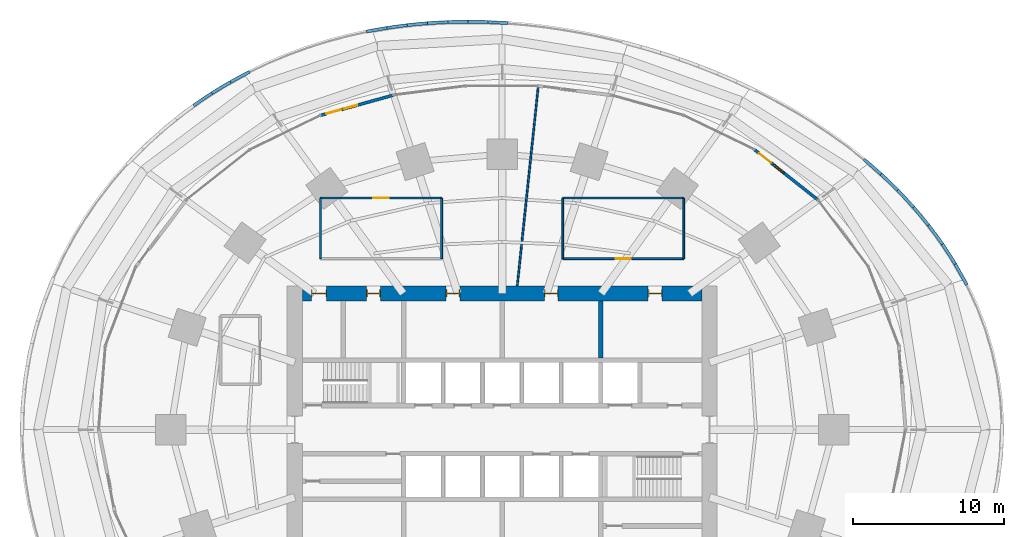
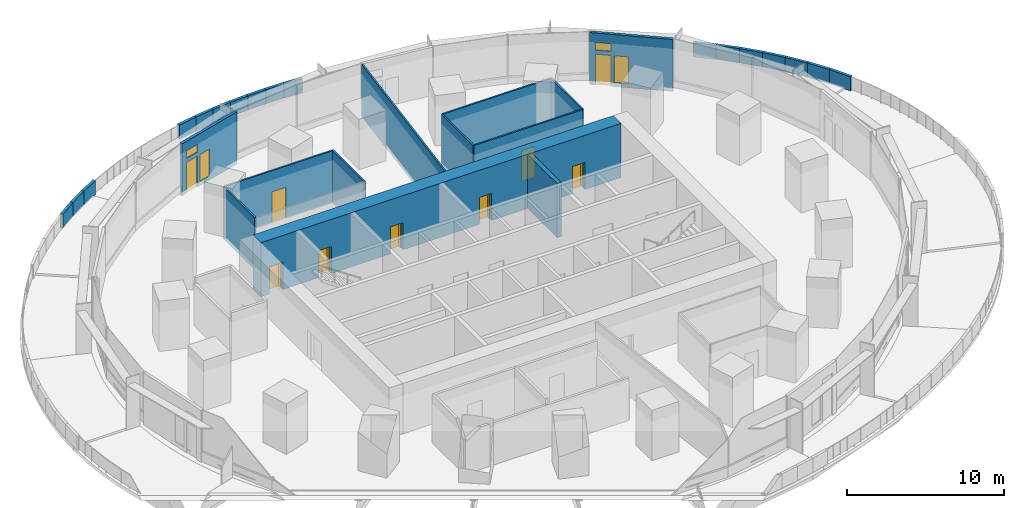
# One storey, part 15 of 20: 29 walls, 9 doors, 4 windows, 13 openings.
"""IFC4 building model written with IfcOpenShell, lengths in metres."""

from ifc_helpers import new_model, si_unit, direction, frame, frame_2d, origin, place, context, subcontext, project, spatial, rectangle, extrude, material, layer, layer_set, type_object, element, fill, save


model = new_model("IFC4")

# Units and contexts
model_context = context("Model", 3, precision=1e-05, world=origin(), true_north=direction((0.0, 1.0)))
body_context = subcontext(model_context, "Body", "Model", "MODEL_VIEW")
ifc_project = project(units=[si_unit("LENGTHUNIT", "METRE"), si_unit("AREAUNIT", "SQUARE_METRE"), si_unit("VOLUMEUNIT", "CUBIC_METRE"), si_unit("PLANEANGLEUNIT", "RADIAN"), si_unit("MASSUNIT", "GRAM", prefix="KILO")], contexts=[model_context])

# Site, building, storey
site_placement = place(None, origin())
site = spatial("IfcSite", under=ifc_project, at=site_placement, CompositionType="ELEMENT")
building_placement = place(site_placement, origin())
building = spatial("IfcBuilding", under=site, at=building_placement, Name="Marramba Exchange Tower", CompositionType="ELEMENT")
storey_placement = place(building_placement, frame((0.0, 0.0, 19.60009765625)))
storey = spatial("IfcBuildingStorey", under=building, at=storey_placement, Name="L04", CompositionType="ELEMENT", Elevation=19.60009765625)

# Wall, openings, doors
ifc_material_1 = material(Name="Concrete N50", Category="concrete")
ifc_layer_1 = layer(ifc_material_1, 1.0)
ifc_layer_set_1 = layer_set([ifc_layer_1], Name="Core wall 1000")
wall_type_1 = type_object("IfcWallType", Name="Core wall 1000", PredefinedType="SHEAR", material=ifc_layer_set_1)
wall_1_placement = place(storey_placement, frame((13.199951171875, 9.0, 0.0), z_axis=(0.0, 0.0, 1.0), x_axis=(-1.0, 0.0, 0.0)))
wall_1 = element("IfcWall", 1, at=wall_1_placement, inside=storey, type_object=wall_type_1, Name="Core wall N L04", PredefinedType="SHEAR", context=body_context, shape_type="SweptSolid", body=[
    extrude(rectangle(XDim=26.39990234375, YDim=1.0, at=frame_2d((13.199951171875, 0.0))), origin(), (0.0, 0.0, 1.0), 4.199951171875),
])
opening_1_placement = place(wall_1_placement, frame((2.64990234375, 0.0, 0.0)))
opening_1 = element("IfcOpeningElement", 2, at=opening_1_placement, cuts=wall_1, Name="Opening D5", PredefinedType="OPENING", context=body_context, shape_type="SweptSolid", body=[
    extrude(rectangle(XDim=0.89990234375, YDim=2.10009765625, at=frame_2d((0.449951171875, 1.050048828125))), frame((0.0, 0.510009765625, 0.0), z_axis=(0.0, -1.0, 0.0), x_axis=(1.0, 0.0, 0.0)), (0.0, 0.0, 1.0), 1.02001953125),
])
opening_2_placement = place(wall_1_placement, frame((9.5, 0.0, 0.0)))
opening_2 = element("IfcOpeningElement", 3, at=opening_2_placement, cuts=wall_1, Name="Opening D3", PredefinedType="OPENING", context=body_context, shape_type="SweptSolid", body=[
    extrude(rectangle(XDim=0.89990234375, YDim=2.10009765625, at=frame_2d((0.449951171875, 1.050048828125))), frame((0.0, 0.510009765625, 0.0), z_axis=(0.0, -1.0, 0.0), x_axis=(1.0, 0.0, 0.0)), (0.0, 0.0, 1.0), 1.02001953125),
])
opening_3_placement = place(wall_1_placement, frame((16.0, 0.0, 0.0)))
opening_3 = element("IfcOpeningElement", 4, at=opening_3_placement, cuts=wall_1, Name="Opening D3", PredefinedType="OPENING", context=body_context, shape_type="SweptSolid", body=[
    extrude(rectangle(XDim=0.89990234375, YDim=2.10009765625, at=frame_2d((0.449951171875, 1.050048828125))), frame((0.0, 0.510009765625, 0.0), z_axis=(0.0, -1.0, 0.0), x_axis=(1.0, 0.0, 0.0)), (0.0, 0.0, 1.0), 1.02001953125),
])
opening_4_placement = place(wall_1_placement, frame((21.25, 0.0, 0.0)))
opening_4 = element("IfcOpeningElement", 5, at=opening_4_placement, cuts=wall_1, Name="Opening D5", PredefinedType="OPENING", context=body_context, shape_type="SweptSolid", body=[
    extrude(rectangle(XDim=0.89990234375, YDim=2.10009765625, at=frame_2d((0.449951171875, 1.050048828125))), frame((0.0, 0.510009765625, 0.0), z_axis=(0.0, -1.0, 0.0), x_axis=(1.0, 0.0, 0.0)), (0.0, 0.0, 1.0), 1.02001953125),
])
opening_5_placement = place(wall_1_placement, frame((24.800048828125, 0.0, 0.0)))
opening_5 = element("IfcOpeningElement", 6, at=opening_5_placement, cuts=wall_1, Name="Opening D4", PredefinedType="OPENING", context=body_context, shape_type="SweptSolid", body=[
    extrude(rectangle(XDim=1.0, YDim=2.10009765625, at=frame_2d((0.5, 1.050048828125))), frame((0.0, 0.510009765625, 0.0), z_axis=(0.0, -1.0, 0.0), x_axis=(1.0, 0.0, 0.0)), (0.0, 0.0, 1.0), 1.02001953125),
])
ifc_material_2 = material(Name="Steel-framed door", Category="steel")
door_type_1 = type_object("IfcDoorType", Name="Accessible toilet door 1000x2100", OperationType="SINGLE_SWING_LEFT", PredefinedType="DOOR", material=ifc_material_2)
door_1_placement = place(opening_5_placement, origin())
door_1 = element("IfcDoor", 7, at=door_1_placement, inside=storey, type_object=door_type_1, Name="D4 awc L04", OperationType="SINGLE_SWING_RIGHT", OverallHeight=2.10009765625, OverallWidth=1.0, PredefinedType="DOOR", context=body_context, shape_type="SweptSolid", body=[
    extrude(rectangle(XDim=0.919921875, YDim=2.06005859375, at=frame_2d((0.5, 1.030029296875))), frame((0.0, 0.02490234375, 0.0), z_axis=(0.0, -1.0, 0.0), x_axis=(1.0, 0.0, 0.0)), (0.0, 0.0, 1.0), 0.050048828125),
    extrude(rectangle(XDim=0.04, YDim=2.10009765625, at=frame_2d((0.02001953125, 1.050048828125))), frame((0.0, 0.25, 0.0), z_axis=(0.0, -1.0, 0.0), x_axis=(1.0, 0.0, 0.0)), (0.0, 0.0, 1.0), 0.5),
    extrude(rectangle(XDim=0.04, YDim=2.10009765625, at=frame_2d((0.97998046875, 1.050048828125))), frame((0.0, 0.25, 0.0), z_axis=(0.0, -1.0, 0.0), x_axis=(1.0, 0.0, 0.0)), (0.0, 0.0, 1.0), 0.5),
    extrude(rectangle(XDim=0.919921875, YDim=0.04, at=frame_2d((0.5, 2.080078125))), frame((0.0, 0.25, 0.0), z_axis=(0.0, -1.0, 0.0), x_axis=(1.0, 0.0, 0.0)), (0.0, 0.0, 1.0), 0.5),
])
fill(opening_5, door_1)
door_type_2 = type_object("IfcDoorType", Name="Service door 900x2100", OperationType="SINGLE_SWING_LEFT", PredefinedType="DOOR", material=ifc_material_2)
door_2_placement = place(opening_1_placement, origin())
door_2 = element("IfcDoor", 8, at=door_2_placement, inside=storey, type_object=door_type_2, Name="D5 comms L04", OperationType="SINGLE_SWING_LEFT", OverallHeight=2.10009765625, OverallWidth=0.89990234375, PredefinedType="DOOR", context=body_context, shape_type="SweptSolid", body=[
    extrude(rectangle(XDim=0.81982421875, YDim=2.06005859375, at=frame_2d((0.449951171875, 1.030029296875))), frame((0.0, 0.02490234375, 0.0), z_axis=(0.0, -1.0, 0.0), x_axis=(1.0, 0.0, 0.0)), (0.0, 0.0, 1.0), 0.050048828125),
    extrude(rectangle(XDim=0.04, YDim=2.10009765625, at=frame_2d((0.02001953125, 1.050048828125))), frame((0.0, 0.25, 0.0), z_axis=(0.0, -1.0, 0.0), x_axis=(1.0, 0.0, 0.0)), (0.0, 0.0, 1.0), 0.5),
    extrude(rectangle(XDim=0.04, YDim=2.10009765625, at=frame_2d((0.8798828125, 1.050048828125))), frame((0.0, 0.25, 0.0), z_axis=(0.0, -1.0, 0.0), x_axis=(1.0, 0.0, 0.0)), (0.0, 0.0, 1.0), 0.5),
    extrude(rectangle(XDim=0.81982421875, YDim=0.04, at=frame_2d((0.449951171875, 2.080078125))), frame((0.0, 0.25, 0.0), z_axis=(0.0, -1.0, 0.0), x_axis=(1.0, 0.0, 0.0)), (0.0, 0.0, 1.0), 0.5),
])
fill(opening_1, door_2)
door_3_placement = place(opening_4_placement, origin())
door_3 = element("IfcDoor", 9, at=door_3_placement, inside=storey, type_object=door_type_2, Name="D5 cleaner L04", OperationType="SINGLE_SWING_RIGHT", OverallHeight=2.10009765625, OverallWidth=0.89990234375, PredefinedType="DOOR", context=body_context, shape_type="SweptSolid", body=[
    extrude(rectangle(XDim=0.81982421875, YDim=2.06005859375, at=frame_2d((0.449951171875, 1.030029296875))), frame((0.0, 0.02490234375, 0.0), z_axis=(0.0, -1.0, 0.0), x_axis=(1.0, 0.0, 0.0)), (0.0, 0.0, 1.0), 0.050048828125),
    extrude(rectangle(XDim=0.04, YDim=2.10009765625, at=frame_2d((0.02001953125, 1.050048828125))), frame((0.0, 0.25, 0.0), z_axis=(0.0, -1.0, 0.0), x_axis=(1.0, 0.0, 0.0)), (0.0, 0.0, 1.0), 0.5),
    extrude(rectangle(XDim=0.04, YDim=2.10009765625, at=frame_2d((0.8798828125, 1.050048828125))), frame((0.0, 0.25, 0.0), z_axis=(0.0, -1.0, 0.0), x_axis=(1.0, 0.0, 0.0)), (0.0, 0.0, 1.0), 0.5),
    extrude(rectangle(XDim=0.81982421875, YDim=0.04, at=frame_2d((0.449951171875, 2.080078125))), frame((0.0, 0.25, 0.0), z_axis=(0.0, -1.0, 0.0), x_axis=(1.0, 0.0, 0.0)), (0.0, 0.0, 1.0), 0.5),
])
fill(opening_4, door_3)
door_type_3 = type_object("IfcDoorType", Name="Toilet door 900x2100", OperationType="SINGLE_SWING_LEFT", PredefinedType="DOOR", material=ifc_material_2)
door_4_placement = place(opening_2_placement, origin())
door_4 = element("IfcDoor", 10, at=door_4_placement, inside=storey, type_object=door_type_3, Name="D3 wc-f L04", OperationType="SINGLE_SWING_RIGHT", OverallHeight=2.10009765625, OverallWidth=0.89990234375, PredefinedType="DOOR", context=body_context, shape_type="SweptSolid", body=[
    extrude(rectangle(XDim=0.81982421875, YDim=2.06005859375, at=frame_2d((0.449951171875, 1.030029296875))), frame((0.0, 0.02490234375, 0.0), z_axis=(0.0, -1.0, 0.0), x_axis=(1.0, 0.0, 0.0)), (0.0, 0.0, 1.0), 0.050048828125),
    extrude(rectangle(XDim=0.04, YDim=2.10009765625, at=frame_2d((0.02001953125, 1.050048828125))), frame((0.0, 0.25, 0.0), z_axis=(0.0, -1.0, 0.0), x_axis=(1.0, 0.0, 0.0)), (0.0, 0.0, 1.0), 0.5),
    extrude(rectangle(XDim=0.04, YDim=2.10009765625, at=frame_2d((0.8798828125, 1.050048828125))), frame((0.0, 0.25, 0.0), z_axis=(0.0, -1.0, 0.0), x_axis=(1.0, 0.0, 0.0)), (0.0, 0.0, 1.0), 0.5),
    extrude(rectangle(XDim=0.81982421875, YDim=0.04, at=frame_2d((0.449951171875, 2.080078125))), frame((0.0, 0.25, 0.0), z_axis=(0.0, -1.0, 0.0), x_axis=(1.0, 0.0, 0.0)), (0.0, 0.0, 1.0), 0.5),
])
fill(opening_2, door_4)
door_5_placement = place(opening_3_placement, origin())
door_5 = element("IfcDoor", 11, at=door_5_placement, inside=storey, type_object=door_type_3, Name="D3 wc-m L04", OperationType="SINGLE_SWING_RIGHT", OverallHeight=2.10009765625, OverallWidth=0.89990234375, PredefinedType="DOOR", context=body_context, shape_type="SweptSolid", body=[
    extrude(rectangle(XDim=0.81982421875, YDim=2.06005859375, at=frame_2d((0.449951171875, 1.030029296875))), frame((0.0, 0.02490234375, 0.0), z_axis=(0.0, -1.0, 0.0), x_axis=(1.0, 0.0, 0.0)), (0.0, 0.0, 1.0), 0.050048828125),
    extrude(rectangle(XDim=0.04, YDim=2.10009765625, at=frame_2d((0.02001953125, 1.050048828125))), frame((0.0, 0.25, 0.0), z_axis=(0.0, -1.0, 0.0), x_axis=(1.0, 0.0, 0.0)), (0.0, 0.0, 1.0), 0.5),
    extrude(rectangle(XDim=0.04, YDim=2.10009765625, at=frame_2d((0.8798828125, 1.050048828125))), frame((0.0, 0.25, 0.0), z_axis=(0.0, -1.0, 0.0), x_axis=(1.0, 0.0, 0.0)), (0.0, 0.0, 1.0), 0.5),
    extrude(rectangle(XDim=0.81982421875, YDim=0.04, at=frame_2d((0.449951171875, 2.080078125))), frame((0.0, 0.25, 0.0), z_axis=(0.0, -1.0, 0.0), x_axis=(1.0, 0.0, 0.0)), (0.0, 0.0, 1.0), 0.5),
])
fill(opening_3, door_5)

# Wall
ifc_layer_2 = layer(ifc_material_1, 0.300048828125)
ifc_layer_set_2 = layer_set([ifc_layer_2], Name="Core wall 300")
wall_type_2 = type_object("IfcWallType", Name="Core wall 300", PredefinedType="SHEAR", material=ifc_layer_set_2)
wall_2_placement = place(storey_placement, frame((6.5, 4.75, 0.0), z_axis=(0.0, 0.0, 1.0), x_axis=(0.0, 1.0, 0.0)))
element("IfcWall", 12, at=wall_2_placement, inside=storey, type_object=wall_type_2, Name="Core wall X1Nb L04", PredefinedType="SHEAR", context=body_context, shape_type="SweptSolid", body=[
    extrude(rectangle(XDim=3.75, YDim=0.300048828125, at=frame_2d((1.875, 0.0))), origin(), (0.0, 0.0, 1.0), 4.199951171875),
])

# Wall, openings, door, windows
ifc_material_3 = material(Name="Aluminium-framed bronze cladding on steel studs", Category="steel")
ifc_layer_3 = layer(ifc_material_3, 0.199951171875)
ifc_layer_set_3 = layer_set([ifc_layer_3], Name="Door screen wall 200")
wall_type_3 = type_object("IfcWallType", Name="Door screen wall 200", PredefinedType="SOLIDWALL", material=ifc_layer_set_3)
wall_3_placement = place(storey_placement, frame((20.87548828125, 15.166748046875, 0.0), z_axis=(0.0, 0.0, 1.0), x_axis=(-0.784092788378, 0.620643616912, 0.0)))
wall_3 = element("IfcWall", 13, at=wall_3_placement, inside=storey, type_object=wall_type_3, Name="Door screen L04 F04", PredefinedType="SOLIDWALL", context=body_context, shape_type="SweptSolid", body=[
    extrude(rectangle(XDim=5.375732421875, YDim=0.199951171875, at=frame_2d((2.68798828125, 0.0))), origin(), (0.0, 0.0, 1.0), 4.039794921875),
])
opening_6_placement = place(wall_3_placement, frame((3.9755859375, 0.0, 0.0)))
opening_6 = element("IfcOpeningElement", 14, at=opening_6_placement, cuts=wall_3, Name="Opening D6", PredefinedType="OPENING", context=body_context, shape_type="SweptSolid", body=[
    extrude(rectangle(XDim=1.0, YDim=2.39990234375, at=frame_2d((0.5, 1.199951171875))), frame((0.0, 0.10986328125, 0.0), z_axis=(0.0, -1.0, 0.0), x_axis=(1.0, 0.0, 0.0)), (0.0, 0.0, 1.0), 0.219970703125),
])
opening_7_placement = place(wall_3_placement, frame((2.875732421875, 0.0, 0.300048828125)))
opening_7 = element("IfcOpeningElement", 15, at=opening_7_placement, cuts=wall_3, Name="Opening W4", PredefinedType="OPENING", context=body_context, shape_type="SweptSolid", body=[
    extrude(rectangle(XDim=0.89990234375, YDim=2.10009765625, at=frame_2d((0.449951171875, 1.050048828125))), frame((0.0, 0.10986328125, 0.0), z_axis=(0.0, -1.0, 0.0), x_axis=(1.0, 0.0, 0.0)), (0.0, 0.0, 1.0), 0.219970703125),
])
opening_8_placement = place(wall_3_placement, frame((3.9755859375, 0.0, 2.699951171875)))
opening_8 = element("IfcOpeningElement", 16, at=opening_8_placement, cuts=wall_3, Name="Opening W5", PredefinedType="OPENING", context=body_context, shape_type="SweptSolid", body=[
    extrude(rectangle(XDim=1.0, YDim=0.60009765625, at=frame_2d((0.5, 0.300048828125))), frame((0.0, 0.10986328125, 0.0), z_axis=(0.0, -1.0, 0.0), x_axis=(1.0, 0.0, 0.0)), (0.0, 0.0, 1.0), 0.219970703125),
])
ifc_material_4 = material(Name="Aluminium-framed glazed door, bronze", Category="aluminium")
door_type_4 = type_object("IfcDoorType", Name="Terrace door 1000x2400", OperationType="SINGLE_SWING_LEFT", PredefinedType="DOOR", material=ifc_material_4)
door_6_placement = place(opening_6_placement, frame((1.0, 0.0, 0.0), z_axis=(0.0, 0.0, 1.0), x_axis=(-1.0, 0.0, 0.0)))
door_6 = element("IfcDoor", 17, at=door_6_placement, inside=storey, type_object=door_type_4, Name="D6 L04", OperationType="SINGLE_SWING_RIGHT", OverallHeight=2.39990234375, OverallWidth=1.0, PredefinedType="DOOR", context=body_context, shape_type="SweptSolid", body=[
    extrude(rectangle(XDim=1.0, YDim=2.39990234375, at=frame_2d((0.5, 1.199951171875))), frame((0.0, 0.025146484375, 0.0), z_axis=(0.0, -1.0, 0.0), x_axis=(1.0, 0.0, 0.0)), (0.0, 0.0, 1.0), 0.050048828125),
])
fill(opening_6, door_6)
ifc_material_5 = material(Name="Aluminium-framed fixed light, bronze, double glazed", Category="aluminium")
window_type_1 = type_object("IfcWindowType", Name="Terrace sidelight 900x2100", PartitioningType="SINGLE_PANEL", PredefinedType="WINDOW", material=ifc_material_5)
window_1_placement = place(opening_7_placement, origin())
window_1 = element("IfcWindow", 18, at=window_1_placement, inside=storey, type_object=window_type_1, Name="W4 L04 F04 left", OverallHeight=2.10009765625, OverallWidth=0.89990234375, PartitioningType="SINGLE_PANEL", PredefinedType="WINDOW", context=body_context, shape_type="SweptSolid", body=[
    extrude(rectangle(XDim=0.89990234375, YDim=2.10009765625, at=frame_2d((0.449951171875, 1.050048828125))), frame((0.0, 0.030029296875, 0.0), z_axis=(0.0, -1.0, 0.0), x_axis=(1.0, 0.0, 0.0)), (0.0, 0.0, 1.0), 0.06005859375),
])
fill(opening_7, window_1)
window_type_2 = type_object("IfcWindowType", Name="Terrace transom light 1000x600", PartitioningType="SINGLE_PANEL", PredefinedType="WINDOW", material=ifc_material_5)
window_2_placement = place(opening_8_placement, origin())
window_2 = element("IfcWindow", 19, at=window_2_placement, inside=storey, type_object=window_type_2, Name="W5 L04 F04 over the door", OverallHeight=0.60009765625, OverallWidth=1.0, PartitioningType="SINGLE_PANEL", PredefinedType="WINDOW", context=body_context, shape_type="SweptSolid", body=[
    extrude(rectangle(XDim=1.0, YDim=0.60009765625, at=frame_2d((0.5, 0.300048828125))), frame((0.0, 0.030029296875, 0.0), z_axis=(0.0, -1.0, 0.0), x_axis=(1.0, 0.0, 0.0)), (0.0, 0.0, 1.0), 0.06005859375),
])
fill(opening_8, window_2)

wall_4_placement = place(storey_placement, frame((-7.181640625, 22.1025390625, 0.0), z_axis=(0.0, 0.0, 1.0), x_axis=(-0.963467423548, -0.267825547253, 0.0)))
wall_4 = element("IfcWall", 20, at=wall_4_placement, inside=storey, type_object=wall_type_3, Name="Door screen L04 F10", PredefinedType="SOLIDWALL", context=body_context, shape_type="SweptSolid", body=[
    extrude(rectangle(XDim=4.989990234375, YDim=0.199951171875, at=frame_2d((2.4951171875, 0.0))), origin(), (0.0, 0.0, 1.0), 4.039794921875),
])
opening_9_placement = place(wall_4_placement, frame((3.590087890625, 0.0, 0.0)))
opening_9 = element("IfcOpeningElement", 21, at=opening_9_placement, cuts=wall_4, Name="Opening D6", PredefinedType="OPENING", context=body_context, shape_type="SweptSolid", body=[
    extrude(rectangle(XDim=1.0, YDim=2.39990234375, at=frame_2d((0.5, 1.199951171875))), frame((0.0, 0.10986328125, 0.0), z_axis=(0.0, -1.0, 0.0), x_axis=(1.0, 0.0, 0.0)), (0.0, 0.0, 1.0), 0.219970703125),
])
opening_10_placement = place(wall_4_placement, frame((2.489990234375, 0.0, 0.300048828125)))
opening_10 = element("IfcOpeningElement", 22, at=opening_10_placement, cuts=wall_4, Name="Opening W4", PredefinedType="OPENING", context=body_context, shape_type="SweptSolid", body=[
    extrude(rectangle(XDim=0.89990234375, YDim=2.10009765625, at=frame_2d((0.449951171875, 1.050048828125))), frame((0.0, 0.10986328125, 0.0), z_axis=(0.0, -1.0, 0.0), x_axis=(1.0, 0.0, 0.0)), (0.0, 0.0, 1.0), 0.219970703125),
])
opening_11_placement = place(wall_4_placement, frame((3.590087890625, 0.0, 2.699951171875)))
opening_11 = element("IfcOpeningElement", 23, at=opening_11_placement, cuts=wall_4, Name="Opening W5", PredefinedType="OPENING", context=body_context, shape_type="SweptSolid", body=[
    extrude(rectangle(XDim=1.0, YDim=0.60009765625, at=frame_2d((0.5, 0.300048828125))), frame((0.0, 0.10986328125, 0.0), z_axis=(0.0, -1.0, 0.0), x_axis=(1.0, 0.0, 0.0)), (0.0, 0.0, 1.0), 0.219970703125),
])
door_7_placement = place(opening_9_placement, frame((1.0, 0.0, 0.0), z_axis=(0.0, 0.0, 1.0), x_axis=(-1.0, 0.0, 0.0)))
door_7 = element("IfcDoor", 24, at=door_7_placement, inside=storey, type_object=door_type_4, Name="D6 L04", OperationType="SINGLE_SWING_RIGHT", OverallHeight=2.39990234375, OverallWidth=1.0, PredefinedType="DOOR", context=body_context, shape_type="SweptSolid", body=[
    extrude(rectangle(XDim=1.0, YDim=2.39990234375, at=frame_2d((0.5, 1.199951171875))), frame((0.0, 0.025146484375, 0.0), z_axis=(0.0, -1.0, 0.0), x_axis=(1.0, 0.0, 0.0)), (0.0, 0.0, 1.0), 0.050048828125),
])
fill(opening_9, door_7)
window_3_placement = place(opening_10_placement, origin())
window_3 = element("IfcWindow", 25, at=window_3_placement, inside=storey, type_object=window_type_1, Name="W4 L04 F10 left", OverallHeight=2.10009765625, OverallWidth=0.89990234375, PartitioningType="SINGLE_PANEL", PredefinedType="WINDOW", context=body_context, shape_type="SweptSolid", body=[
    extrude(rectangle(XDim=0.89990234375, YDim=2.10009765625, at=frame_2d((0.449951171875, 1.050048828125))), frame((0.0, 0.030029296875, 0.0), z_axis=(0.0, -1.0, 0.0), x_axis=(1.0, 0.0, 0.0)), (0.0, 0.0, 1.0), 0.06005859375),
])
fill(opening_10, window_3)
window_4_placement = place(opening_11_placement, origin())
window_4 = element("IfcWindow", 26, at=window_4_placement, inside=storey, type_object=window_type_2, Name="W5 L04 F10 over the door", OverallHeight=0.60009765625, OverallWidth=1.0, PartitioningType="SINGLE_PANEL", PredefinedType="WINDOW", context=body_context, shape_type="SweptSolid", body=[
    extrude(rectangle(XDim=1.0, YDim=0.60009765625, at=frame_2d((0.5, 0.300048828125))), frame((0.0, 0.030029296875, 0.0), z_axis=(0.0, -1.0, 0.0), x_axis=(1.0, 0.0, 0.0)), (0.0, 0.0, 1.0), 0.06005859375),
])
fill(opening_11, window_4)

# Wall
ifc_material_6 = material(Name="Plasterboard on steel studs", Category="steel")
ifc_layer_4 = layer(ifc_material_6, 0.1201171875)
ifc_layer_set_4 = layer_set([ifc_layer_4], Name="Partition 120")
wall_type_4 = type_object("IfcWallType", Name="Partition 120", PredefinedType="PARTITIONING", material=ifc_layer_set_4)
wall_5_placement = place(storey_placement, frame((12.0, 15.300048828125, 0.0), z_axis=(0.0, 0.0, 1.0), x_axis=(0.0, -1.0, 0.0)))
element("IfcWall", 27, at=wall_5_placement, inside=storey, type_object=wall_type_4, Name="Partition L04 11", PredefinedType="PARTITIONING", context=body_context, shape_type="SweptSolid", body=[
    extrude(rectangle(XDim=4.0, YDim=0.1201171875, at=frame_2d((2.0, 0.0))), origin(), (0.0, 0.0, 1.0), 4.039794921875),
])

# Wall, opening, door
wall_6_placement = place(storey_placement, frame((12.0, 11.300048828125, 0.0), z_axis=(0.0, 0.0, 1.0), x_axis=(-1.0, 0.0, 0.0)))
wall_6 = element("IfcWall", 28, at=wall_6_placement, inside=storey, type_object=wall_type_4, Name="Partition L04 12", PredefinedType="PARTITIONING", context=body_context, shape_type="SweptSolid", body=[
    extrude(rectangle(XDim=8.0, YDim=0.1201171875, at=frame_2d((4.0, 0.0))), origin(), (0.0, 0.0, 1.0), 4.039794921875),
])
opening_12_placement = place(wall_6_placement, frame((3.5, 0.0, 0.0)))
opening_12 = element("IfcOpeningElement", 29, at=opening_12_placement, cuts=wall_6, Name="Opening D9", PredefinedType="OPENING", context=body_context, shape_type="SweptSolid", body=[
    extrude(rectangle(XDim=1.0, YDim=2.39990234375, at=frame_2d((0.5, 1.199951171875))), frame((0.0, 0.070068359375, 0.0), z_axis=(0.0, -1.0, 0.0), x_axis=(1.0, 0.0, 0.0)), (0.0, 0.0, 1.0), 0.14013671875),
])
ifc_material_7 = material(Name="Timber door", Category="wood")
door_type_5 = type_object("IfcDoorType", Name="Room door 1000x2400", OperationType="SINGLE_SWING_LEFT", PredefinedType="DOOR", material=ifc_material_7)
door_8_placement = place(opening_12_placement, frame((1.0, 0.0, 0.0), z_axis=(0.0, 0.0, 1.0), x_axis=(-1.0, 0.0, 0.0)))
door_8 = element("IfcDoor", 30, at=door_8_placement, inside=storey, type_object=door_type_5, Name="D9 Incident Management Room L04", OperationType="SINGLE_SWING_RIGHT", OverallHeight=2.39990234375, OverallWidth=1.0, PredefinedType="DOOR", context=body_context, shape_type="SweptSolid", body=[
    extrude(rectangle(XDim=1.0, YDim=2.39990234375, at=frame_2d((0.5, 1.199951171875))), frame((0.0, 0.025146484375, 0.0), z_axis=(0.0, -1.0, 0.0), x_axis=(1.0, 0.0, 0.0)), (0.0, 0.0, 1.0), 0.050048828125),
])
fill(opening_12, door_8)

# Walls
wall_7_placement = place(storey_placement, frame((4.0, 15.300048828125, 0.0), z_axis=(0.0, 0.0, 1.0), x_axis=(1.0, 0.0, 0.0)))
element("IfcWall", 31, at=wall_7_placement, inside=storey, type_object=wall_type_4, Name="Partition L04 13", PredefinedType="PARTITIONING", context=body_context, shape_type="SweptSolid", body=[
    extrude(rectangle(XDim=8.0, YDim=0.1201171875, at=frame_2d((4.0, 0.0))), origin(), (0.0, 0.0, 1.0), 4.039794921875),
])
wall_8_placement = place(storey_placement, frame((4.0, 11.300048828125, 0.0), z_axis=(0.0, 0.0, 1.0), x_axis=(0.0, 1.0, 0.0)))
element("IfcWall", 32, at=wall_8_placement, inside=storey, type_object=wall_type_4, Name="Partition L04 14", PredefinedType="PARTITIONING", context=body_context, shape_type="SweptSolid", body=[
    extrude(rectangle(XDim=4.0, YDim=0.1201171875, at=frame_2d((2.0, 0.0))), origin(), (0.0, 0.0, 1.0), 4.039794921875),
])
wall_9_placement = place(storey_placement, frame((0.99853515625, 9.5, 0.0), z_axis=(0.0, 0.0, 1.0), x_axis=(0.104527835502, 0.994521961349, 0.0)))
element("IfcWall", 33, at=wall_9_placement, inside=storey, type_object=wall_type_4, Name="Partition L04 15", PredefinedType="PARTITIONING", context=body_context, shape_type="SweptSolid", body=[
    extrude(rectangle(XDim=13.19873046875, YDim=0.1201171875, at=frame_2d((6.599365234375, 0.0))), origin(), (0.0, 0.0, 1.0), 4.039794921875),
])
wall_10_placement = place(storey_placement, frame((-4.0, 15.300048828125, 0.0), z_axis=(0.0, 0.0, 1.0), x_axis=(0.0, -1.0, 0.0)))
element("IfcWall", 34, at=wall_10_placement, inside=storey, type_object=wall_type_4, Name="Partition L04 16", PredefinedType="PARTITIONING", context=body_context, shape_type="SweptSolid", body=[
    extrude(rectangle(XDim=4.0, YDim=0.1201171875, at=frame_2d((2.0, 0.0))), origin(), (0.0, 0.0, 1.0), 4.039794921875),
])

# Wall, opening, door
wall_11_placement = place(storey_placement, frame((-12.0, 15.300048828125, 0.0), z_axis=(0.0, 0.0, 1.0), x_axis=(1.0, 0.0, 0.0)))
wall_11 = element("IfcWall", 35, at=wall_11_placement, inside=storey, type_object=wall_type_4, Name="Partition L04 17", PredefinedType="PARTITIONING", context=body_context, shape_type="SweptSolid", body=[
    extrude(rectangle(XDim=8.0, YDim=0.1201171875, at=frame_2d((4.0, 0.0))), origin(), (0.0, 0.0, 1.0), 4.039794921875),
])
opening_13_placement = place(wall_11_placement, frame((3.5, 0.0, 0.0)))
opening_13 = element("IfcOpeningElement", 36, at=opening_13_placement, cuts=wall_11, Name="Opening D9", PredefinedType="OPENING", context=body_context, shape_type="SweptSolid", body=[
    extrude(rectangle(XDim=1.0, YDim=2.39990234375, at=frame_2d((0.5, 1.199951171875))), frame((0.0, 0.070068359375, 0.0), z_axis=(0.0, -1.0, 0.0), x_axis=(1.0, 0.0, 0.0)), (0.0, 0.0, 1.0), 0.14013671875),
])
door_9_placement = place(opening_13_placement, frame((1.0, 0.0, 0.0), z_axis=(0.0, 0.0, 1.0), x_axis=(-1.0, 0.0, 0.0)))
door_9 = element("IfcDoor", 37, at=door_9_placement, inside=storey, type_object=door_type_5, Name="D9 Market Surveillance Office L04", OperationType="SINGLE_SWING_RIGHT", OverallHeight=2.39990234375, OverallWidth=1.0, PredefinedType="DOOR", context=body_context, shape_type="SweptSolid", body=[
    extrude(rectangle(XDim=1.0, YDim=2.39990234375, at=frame_2d((0.5, 1.199951171875))), frame((0.0, 0.025146484375, 0.0), z_axis=(0.0, -1.0, 0.0), x_axis=(1.0, 0.0, 0.0)), (0.0, 0.0, 1.0), 0.050048828125),
])
fill(opening_13, door_9)

# Walls
wall_12_placement = place(storey_placement, frame((-12.0, 11.300048828125, 0.0), z_axis=(0.0, 0.0, 1.0), x_axis=(0.0, 1.0, 0.0)))
element("IfcWall", 38, at=wall_12_placement, inside=storey, type_object=wall_type_4, Name="Partition L04 19", PredefinedType="PARTITIONING", context=body_context, shape_type="SweptSolid", body=[
    extrude(rectangle(XDim=4.0, YDim=0.1201171875, at=frame_2d((2.0, 0.0))), origin(), (0.0, 0.0, 1.0), 4.039794921875),
])
ifc_material_8 = material(Name="Concrete N40", Category="concrete")
ifc_layer_5 = layer(ifc_material_8, 0.199951171875)
ifc_layer_set_5 = layer_set([ifc_layer_5], Name="Roof parapet 200")
wall_type_5 = type_object("IfcWallType", Name="Roof parapet 200", PredefinedType="PARAPET", material=ifc_layer_set_5)
wall_13_placement = place(storey_placement, frame((30.695556640625, 9.5537109375, 0.0), z_axis=(0.0, 0.0, 1.0), x_axis=(-0.483028292701, 0.87560474442, 0.0)))
element("IfcWall", 39, at=wall_13_placement, inside=storey, type_object=wall_type_5, Name="Parapet L04 bay 02", PredefinedType="PARAPET", context=body_context, shape_type="SweptSolid", body=[
    extrude(rectangle(XDim=1.5791015625, YDim=0.199951171875, at=frame_2d((0.78955078125, 0.0))), origin(), (0.0, 0.0, 1.0), 1.099853515625),
])
wall_14_placement = place(storey_placement, frame((29.932861328125, 10.936279296875, 0.0), z_axis=(0.0, 0.0, 1.0), x_axis=(-0.539971324998, 0.841683413274, 0.0)))
element("IfcWall", 40, at=wall_14_placement, inside=storey, type_object=wall_type_5, Name="Parapet L04 bay 02", PredefinedType="PARAPET", context=body_context, shape_type="SweptSolid", body=[
    extrude(rectangle(XDim=1.56982421875, YDim=0.199951171875, at=frame_2d((0.784912109375, 0.0))), origin(), (0.0, 0.0, 1.0), 1.099853515625),
])
wall_15_placement = place(storey_placement, frame((29.085205078125, 12.257568359375, 0.0), z_axis=(0.0, 0.0, 1.0), x_axis=(-0.592178145042, 0.805807076498, 0.0)))
element("IfcWall", 41, at=wall_15_placement, inside=storey, type_object=wall_type_5, Name="Parapet L04 bay 02", PredefinedType="PARAPET", context=body_context, shape_type="SweptSolid", body=[
    extrude(rectangle(XDim=1.558837890625, YDim=0.199951171875, at=frame_2d((0.779296875, 0.0))), origin(), (0.0, 0.0, 1.0), 1.099853515625),
])
wall_16_placement = place(storey_placement, frame((28.162109375, 13.513671875, 0.0), z_axis=(0.0, 0.0, 1.0), x_axis=(-0.639671840698, 0.768648122497, 0.0)))
element("IfcWall", 42, at=wall_16_placement, inside=storey, type_object=wall_type_5, Name="Parapet L04 bay 02", PredefinedType="PARAPET", context=body_context, shape_type="SweptSolid", body=[
    extrude(rectangle(XDim=1.54638671875, YDim=0.199951171875, at=frame_2d((0.773193359375, 0.0))), origin(), (0.0, 0.0, 1.0), 1.099853515625),
])
wall_17_placement = place(storey_placement, frame((27.1728515625, 14.702392578125, 0.0), z_axis=(0.0, 0.0, 1.0), x_axis=(-0.682306895667, 0.731065865792, 0.0)))
element("IfcWall", 43, at=wall_17_placement, inside=storey, type_object=wall_type_5, Name="Parapet L04 bay 02", PredefinedType="PARAPET", context=body_context, shape_type="SweptSolid", body=[
    extrude(rectangle(XDim=1.5322265625, YDim=0.199951171875, at=frame_2d((0.76611328125, 0.0))), origin(), (0.0, 0.0, 1.0), 1.099853515625),
])
wall_18_placement = place(storey_placement, frame((26.12744140625, 15.822509765625, 0.0), z_axis=(0.0, 0.0, 1.0), x_axis=(-0.72081759541, 0.693124804164, 0.0)))
element("IfcWall", 44, at=wall_18_placement, inside=storey, type_object=wall_type_5, Name="Parapet L04 bay 02", PredefinedType="PARAPET", context=body_context, shape_type="SweptSolid", body=[
    extrude(rectangle(XDim=1.516357421875, YDim=0.199951171875, at=frame_2d((0.75830078125, 0.0))), origin(), (0.0, 0.0, 1.0), 1.099853515625),
])
wall_19_placement = place(storey_placement, frame((25.034423828125, 16.87353515625, 0.0), z_axis=(0.0, 0.0, 1.0), x_axis=(-0.754941905039, 0.65579167425, 0.0)))
element("IfcWall", 45, at=wall_19_placement, inside=storey, type_object=wall_type_5, Name="Parapet L04 bay 02", PredefinedType="PARAPET", context=body_context, shape_type="SweptSolid", body=[
    extrude(rectangle(XDim=1.49951171875, YDim=0.199951171875, at=frame_2d((0.749755859375, 0.0))), origin(), (0.0, 0.0, 1.0), 1.099853515625),
])
wall_20_placement = place(storey_placement, frame((0.39794921875, 26.85400390625, 0.0), z_axis=(0.0, 0.0, 1.0), x_axis=(-0.99857464304, 0.053373048241, 0.0)))
element("IfcWall", 46, at=wall_20_placement, inside=storey, type_object=wall_type_5, Name="Parapet L04 bay 06", PredefinedType="PARAPET", context=body_context, shape_type="SweptSolid", body=[
    extrude(rectangle(XDim=1.322021484375, YDim=0.199951171875, at=frame_2d((0.6611328125, 0.0))), origin(), (0.0, 0.0, 1.0), 1.099853515625),
])
wall_21_placement = place(storey_placement, frame((-0.922119140625, 26.924560546875, 0.0), z_axis=(0.0, 0.0, 1.0), x_axis=(-0.999830900949, 0.018389385708, 0.0)))
element("IfcWall", 47, at=wall_21_placement, inside=storey, type_object=wall_type_5, Name="Parapet L04 bay 06", PredefinedType="PARAPET", context=body_context, shape_type="SweptSolid", body=[
    extrude(rectangle(XDim=1.32763671875, YDim=0.199951171875, at=frame_2d((0.663818359375, 0.0))), origin(), (0.0, 0.0, 1.0), 1.099853515625),
])
wall_22_placement = place(storey_placement, frame((-2.24951171875, 26.948974609375, 0.0), z_axis=(0.0, 0.0, 1.0), x_axis=(-0.999839313936, -0.017926134791, 0.0)))
element("IfcWall", 48, at=wall_22_placement, inside=storey, type_object=wall_type_5, Name="Parapet L04 bay 06", PredefinedType="PARAPET", context=body_context, shape_type="SweptSolid", body=[
    extrude(rectangle(XDim=1.334716796875, YDim=0.199951171875, at=frame_2d((0.66748046875, 0.0))), origin(), (0.0, 0.0, 1.0), 1.099853515625),
])
wall_23_placement = place(storey_placement, frame((-3.583984375, 26.925048828125, 0.0), z_axis=(0.0, 0.0, 1.0), x_axis=(-0.998449700697, -0.055661433488, 0.0)))
element("IfcWall", 49, at=wall_23_placement, inside=storey, type_object=wall_type_5, Name="Parapet L04 bay 06", PredefinedType="PARAPET", context=body_context, shape_type="SweptSolid", body=[
    extrude(rectangle(XDim=1.34228515625, YDim=0.199951171875, at=frame_2d((0.671142578125, 0.0))), origin(), (0.0, 0.0, 1.0), 1.099853515625),
])
wall_24_placement = place(storey_placement, frame((-4.924072265625, 26.850341796875, 0.0), z_axis=(0.0, 0.0, 1.0), x_axis=(-0.995505215003, -0.094706741587, 0.0)))
element("IfcWall", 50, at=wall_24_placement, inside=storey, type_object=wall_type_5, Name="Parapet L04 bay 06", PredefinedType="PARAPET", context=body_context, shape_type="SweptSolid", body=[
    extrude(rectangle(XDim=1.350830078125, YDim=0.199951171875, at=frame_2d((0.67529296875, 0.0))), origin(), (0.0, 0.0, 1.0), 1.099853515625),
])
wall_25_placement = place(storey_placement, frame((-6.268798828125, 26.722412109375, 0.0), z_axis=(0.0, 0.0, 1.0), x_axis=(-0.990868366609, -0.134832785527, 0.0)))
element("IfcWall", 51, at=wall_25_placement, inside=storey, type_object=wall_type_5, Name="Parapet L04 bay 06", PredefinedType="PARAPET", context=body_context, shape_type="SweptSolid", body=[
    extrude(rectangle(XDim=1.35986328125, YDim=0.199951171875, at=frame_2d((0.679931640625, 0.0))), origin(), (0.0, 0.0, 1.0), 1.099853515625),
])
wall_26_placement = place(storey_placement, frame((-7.6162109375, 26.5390625, 0.0), z_axis=(0.0, 0.0, 1.0), x_axis=(-0.984368024696, -0.176123797247, 0.0)))
element("IfcWall", 52, at=wall_26_placement, inside=storey, type_object=wall_type_5, Name="Parapet L04 bay 06", PredefinedType="PARAPET", context=body_context, shape_type="SweptSolid", body=[
    extrude(rectangle(XDim=1.36962890625, YDim=0.199951171875, at=frame_2d((0.684814453125, 0.0))), origin(), (0.0, 0.0, 1.0), 1.099853515625),
])
wall_27_placement = place(storey_placement, frame((-16.685791015625, 23.642333984375, 0.0), z_axis=(0.0, 0.0, 1.0), x_axis=(-0.881002336607, -0.473111913709, 0.0)))
element("IfcWall", 53, at=wall_27_placement, inside=storey, type_object=wall_type_5, Name="Parapet L04 bay 08", PredefinedType="PARAPET", context=body_context, shape_type="SweptSolid", body=[
    extrude(rectangle(XDim=1.429931640625, YDim=0.199951171875, at=frame_2d((0.71484375, 0.0))), origin(), (0.0, 0.0, 1.0), 1.099853515625),
])
wall_28_placement = place(storey_placement, frame((-17.945556640625, 22.9658203125, 0.0), z_axis=(0.0, 0.0, 1.0), x_axis=(-0.856459069537, -0.516214937993, 0.0)))
element("IfcWall", 54, at=wall_28_placement, inside=storey, type_object=wall_type_5, Name="Parapet L04 bay 08", PredefinedType="PARAPET", context=body_context, shape_type="SweptSolid", body=[
    extrude(rectangle(XDim=1.440185546875, YDim=0.199951171875, at=frame_2d((0.72021484375, 0.0))), origin(), (0.0, 0.0, 1.0), 1.099853515625),
])
wall_29_placement = place(storey_placement, frame((-19.178955078125, 22.222412109375, 0.0), z_axis=(0.0, 0.0, 1.0), x_axis=(-0.829398715898, -0.558657113144, 0.0)))
element("IfcWall", 55, at=wall_29_placement, inside=storey, type_object=wall_type_5, Name="Parapet L04 bay 08", PredefinedType="PARAPET", context=body_context, shape_type="SweptSolid", body=[
    extrude(rectangle(XDim=1.449951171875, YDim=0.199951171875, at=frame_2d((0.72509765625, 0.0))), origin(), (0.0, 0.0, 1.0), 1.099853515625),
])

save(model, "model.ifc")
